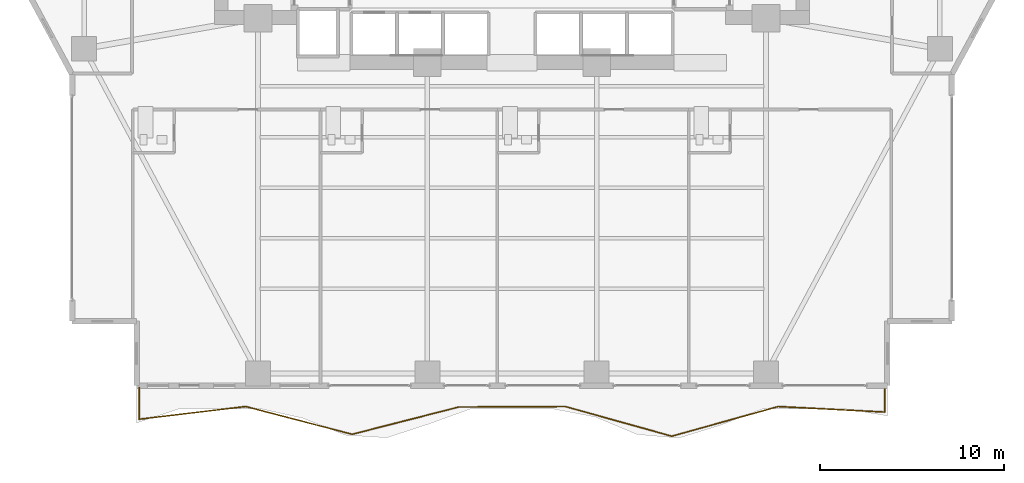
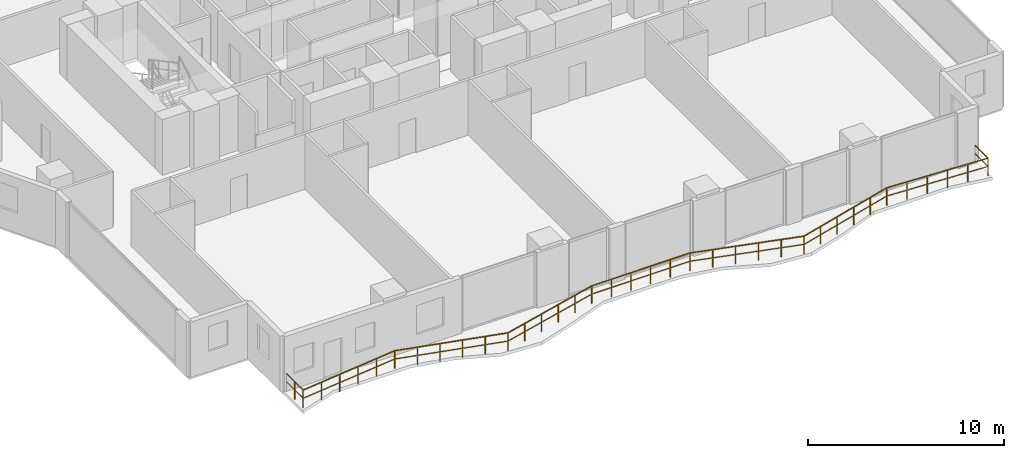
# One storey, part 25 of 28: 1 railing.
"""IFC4 building model written with IfcOpenShell, lengths in metres."""

from ifc_helpers import new_model, si_unit, direction, frame, origin, origin_2d, place, context, subcontext, project, spatial, rectangle, extrude, material, type_object, element, save


model = new_model("IFC4")

# Units and contexts
model_context = context("Model", 3, precision=1e-05, world=origin(), true_north=direction((0.0, 1.0)))
body_context = subcontext(model_context, "Body", "Model", "MODEL_VIEW")
ifc_project = project(units=[si_unit("LENGTHUNIT", "METRE"), si_unit("AREAUNIT", "SQUARE_METRE"), si_unit("VOLUMEUNIT", "CUBIC_METRE"), si_unit("PLANEANGLEUNIT", "RADIAN"), si_unit("MASSUNIT", "GRAM", prefix="KILO")], contexts=[model_context])

# Site, building, storey
site_placement = place(None, origin())
site = spatial("IfcSite", under=ifc_project, at=site_placement, CompositionType="ELEMENT")
building_placement = place(site_placement, origin())
building = spatial("IfcBuilding", under=site, at=building_placement, Name="Zuhayl Quay Hotel", CompositionType="ELEMENT")
storey_placement = place(building_placement, frame((0.0, 0.0, 143.10009765625)))
storey = spatial("IfcBuildingStorey", under=building, at=storey_placement, Name="L36", CompositionType="ELEMENT", Elevation=143.10009765625)

# Railing
ifc_material = material(Name="Anodised Aluminium and Laminated Glass", Category="aluminium")
railing_type = type_object("IfcRailingType", Name="RL_EXT_BAL_1100", PredefinedType="BALUSTRADE", material=ifc_material)
railing_placement = place(storey_placement, frame((-20.260009765625, -15.52001953125, 0.0)))
element("IfcRailing", 1, at=railing_placement, inside=storey, type_object=railing_type, Name="L36 Balcony and Terrace Guard GR_L36_BAL_S", PredefinedType="BALUSTRADE", context=body_context, shape_type="SweptSolid", body=[
    extrude(rectangle(XDim=0.048095703125, YDim=0.048095703125, at=origin_2d()), frame((0.0, 0.0, 1.09619140625), z_axis=(0.0, -1.0, 0.0), x_axis=(1.0, 0.0, 0.0)), (0.0, 0.0, 1.0), 1.71044921875),
    extrude(rectangle(XDim=0.0361328125, YDim=0.0361328125, at=origin_2d()), frame((0.0, 0.0, 0.58251953125), z_axis=(0.0, -1.0, 0.0), x_axis=(1.0, 0.0, 0.0)), (0.0, 0.0, 1.0), 1.71044921875),
    extrude(rectangle(XDim=0.048095703125, YDim=0.048095703125, at=origin_2d()), frame((0.0, -1.71044921875, 1.09619140625), z_axis=(0.99296179669, 0.118435089036, 0.0), x_axis=(-0.118435089036, 0.99296179669, 0.0)), (0.0, 0.0, 1.0), 5.82958984375),
    extrude(rectangle(XDim=0.0361328125, YDim=0.0361328125, at=origin_2d()), frame((0.0, -1.71044921875, 0.58251953125), z_axis=(0.99296179669, 0.118435089036, 0.0), x_axis=(-0.118435089036, 0.99296179669, 0.0)), (0.0, 0.0, 1.0), 5.82958984375),
    extrude(rectangle(XDim=0.048095703125, YDim=0.048095703125, at=origin_2d()), frame((5.78857421875, -1.02001953125, 1.09619140625), z_axis=(0.967679221393, -0.252184306579, 0.0), x_axis=(0.252184306579, 0.967679221393, 0.0)), (0.0, 0.0, 1.0), 5.98193359375),
    extrude(rectangle(XDim=0.0361328125, YDim=0.0361328125, at=origin_2d()), frame((5.78857421875, -1.02001953125, 0.58251953125), z_axis=(0.967679221393, -0.252184306579, 0.0), x_axis=(0.252184306579, 0.967679221393, 0.0)), (0.0, 0.0, 1.0), 5.98193359375),
    extrude(rectangle(XDim=0.048095703125, YDim=0.048095703125, at=origin_2d()), frame((11.5771484375, -2.528564453125, 1.09619140625), z_axis=(0.968815936275, 0.247781519931, 0.0), x_axis=(-0.247781519931, 0.968815936275, 0.0)), (0.0, 0.0, 1.0), 5.974853515625),
    extrude(rectangle(XDim=0.0361328125, YDim=0.0361328125, at=origin_2d()), frame((11.5771484375, -2.528564453125, 0.58251953125), z_axis=(0.968815936275, 0.247781519931, 0.0), x_axis=(-0.247781519931, 0.968815936275, 0.0)), (0.0, 0.0, 1.0), 5.974853515625),
    extrude(rectangle(XDim=0.048095703125, YDim=0.048095703125, at=origin_2d()), frame((17.36572265625, -1.048095703125, 1.09619140625), z_axis=(0.999988237628, 0.004850217095, 0.0), x_axis=(-0.004850217095, 0.999988237628, 0.0)), (0.0, 0.0, 1.0), 5.78857421875),
    extrude(rectangle(XDim=0.0361328125, YDim=0.0361328125, at=origin_2d()), frame((17.36572265625, -1.048095703125, 0.58251953125), z_axis=(0.999988237628, 0.004850217095, 0.0), x_axis=(-0.004850217095, 0.999988237628, 0.0)), (0.0, 0.0, 1.0), 5.78857421875),
    extrude(rectangle(XDim=0.048095703125, YDim=0.048095703125, at=origin_2d()), frame((23.154296875, -1.02001953125, 1.09619140625), z_axis=(0.963330241212, -0.2683185539, 0.0), x_axis=(0.2683185539, 0.963330241212, 0.0)), (0.0, 0.0, 1.0), 6.009033203125),
    extrude(rectangle(XDim=0.0361328125, YDim=0.0361328125, at=origin_2d()), frame((23.154296875, -1.02001953125, 0.58251953125), z_axis=(0.963330241212, -0.2683185539, 0.0), x_axis=(0.2683185539, 0.963330241212, 0.0)), (0.0, 0.0, 1.0), 6.009033203125),
    extrude(rectangle(XDim=0.048095703125, YDim=0.048095703125, at=origin_2d()), frame((28.94287109375, -2.63232421875, 1.09619140625), z_axis=(0.963330241212, 0.2683185539, 0.0), x_axis=(-0.2683185539, 0.963330241212, 0.0)), (0.0, 0.0, 1.0), 6.009033203125),
    extrude(rectangle(XDim=0.0361328125, YDim=0.0361328125, at=origin_2d()), frame((28.94287109375, -2.63232421875, 0.58251953125), z_axis=(0.963330241212, 0.2683185539, 0.0), x_axis=(-0.2683185539, 0.963330241212, 0.0)), (0.0, 0.0, 1.0), 6.009033203125),
    extrude(rectangle(XDim=0.048095703125, YDim=0.048095703125, at=origin_2d()), frame((34.7314453125, -1.02001953125, 1.09619140625), z_axis=(0.998648375621, -0.051975204366, 0.0), x_axis=(0.051975204366, 0.998648375621, 0.0)), (0.0, 0.0, 1.0), 5.79638671875),
    extrude(rectangle(XDim=0.0361328125, YDim=0.0361328125, at=origin_2d()), frame((34.7314453125, -1.02001953125, 0.58251953125), z_axis=(0.998648375621, -0.051975204366, 0.0), x_axis=(0.051975204366, 0.998648375621, 0.0)), (0.0, 0.0, 1.0), 5.79638671875),
    extrude(rectangle(XDim=0.048095703125, YDim=0.048095703125, at=origin_2d()), frame((40.52001953125, -1.3212890625, 1.09619140625), z_axis=(0.0, 1.0, 0.0), x_axis=(-1.0, 0.0, 0.0)), (0.0, 0.0, 1.0), 1.3212890625),
    extrude(rectangle(XDim=0.0361328125, YDim=0.0361328125, at=origin_2d()), frame((40.52001953125, -1.3212890625, 0.58251953125), z_axis=(0.0, 1.0, 0.0), x_axis=(-1.0, 0.0, 0.0)), (0.0, 0.0, 1.0), 1.3212890625),
    extrude(rectangle(XDim=0.0419921875, YDim=0.0419921875, at=origin_2d()), origin(), (0.0, 0.0, 1.0), 1.072021484375),
    extrude(rectangle(XDim=0.0419921875, YDim=0.0419921875, at=origin_2d()), frame((0.0, -0.855224609375, 0.0)), (0.0, 0.0, 1.0), 1.072021484375),
    extrude(rectangle(XDim=0.0419921875, YDim=0.0419921875, at=origin_2d()), frame((0.0, -1.71044921875, 0.0)), (0.0, 0.0, 1.0), 1.072021484375),
    extrude(rectangle(XDim=0.0419921875, YDim=0.0419921875, at=origin_2d()), frame((1.15771484375, -1.572265625, 0.0)), (0.0, 0.0, 1.0), 1.072021484375),
    extrude(rectangle(XDim=0.0419921875, YDim=0.0419921875, at=origin_2d()), frame((2.3154296875, -1.434326171875, 0.0)), (0.0, 0.0, 1.0), 1.072021484375),
    extrude(rectangle(XDim=0.0419921875, YDim=0.0419921875, at=origin_2d()), frame((3.47314453125, -1.296142578125, 0.0)), (0.0, 0.0, 1.0), 1.072021484375),
    extrude(rectangle(XDim=0.0419921875, YDim=0.0419921875, at=origin_2d()), frame((4.630859375, -1.158203125, 0.0)), (0.0, 0.0, 1.0), 1.072021484375),
    extrude(rectangle(XDim=0.0419921875, YDim=0.0419921875, at=origin_2d()), frame((5.78857421875, -1.02001953125, 0.0)), (0.0, 0.0, 1.0), 1.072021484375),
    extrude(rectangle(XDim=0.0419921875, YDim=0.0419921875, at=origin_2d()), frame((6.9462890625, -1.32177734375, 0.0)), (0.0, 0.0, 1.0), 1.072021484375),
    extrude(rectangle(XDim=0.0419921875, YDim=0.0419921875, at=origin_2d()), frame((8.10400390625, -1.62353515625, 0.0)), (0.0, 0.0, 1.0), 1.072021484375),
    extrude(rectangle(XDim=0.0419921875, YDim=0.0419921875, at=origin_2d()), frame((9.26171875, -1.925048828125, 0.0)), (0.0, 0.0, 1.0), 1.072021484375),
    extrude(rectangle(XDim=0.0419921875, YDim=0.0419921875, at=origin_2d()), frame((10.41943359375, -2.226806640625, 0.0)), (0.0, 0.0, 1.0), 1.072021484375),
    extrude(rectangle(XDim=0.0419921875, YDim=0.0419921875, at=origin_2d()), frame((11.5771484375, -2.528564453125, 0.0)), (0.0, 0.0, 1.0), 1.072021484375),
    extrude(rectangle(XDim=0.0419921875, YDim=0.0419921875, at=origin_2d()), frame((12.73486328125, -2.232421875, 0.0)), (0.0, 0.0, 1.0), 1.072021484375),
    extrude(rectangle(XDim=0.0419921875, YDim=0.0419921875, at=origin_2d()), frame((13.892578125, -1.936279296875, 0.0)), (0.0, 0.0, 1.0), 1.072021484375),
    extrude(rectangle(XDim=0.0419921875, YDim=0.0419921875, at=origin_2d()), frame((15.05029296875, -1.640380859375, 0.0)), (0.0, 0.0, 1.0), 1.072021484375),
    extrude(rectangle(XDim=0.0419921875, YDim=0.0419921875, at=origin_2d()), frame((16.2080078125, -1.34423828125, 0.0)), (0.0, 0.0, 1.0), 1.072021484375),
    extrude(rectangle(XDim=0.0419921875, YDim=0.0419921875, at=origin_2d()), frame((17.36572265625, -1.048095703125, 0.0)), (0.0, 0.0, 1.0), 1.072021484375),
    extrude(rectangle(XDim=0.0419921875, YDim=0.0419921875, at=origin_2d()), frame((18.5234375, -1.04248046875, 0.0)), (0.0, 0.0, 1.0), 1.072021484375),
    extrude(rectangle(XDim=0.0419921875, YDim=0.0419921875, at=origin_2d()), frame((19.68115234375, -1.036865234375, 0.0)), (0.0, 0.0, 1.0), 1.072021484375),
    extrude(rectangle(XDim=0.0419921875, YDim=0.0419921875, at=origin_2d()), frame((20.8388671875, -1.03125, 0.0)), (0.0, 0.0, 1.0), 1.072021484375),
    extrude(rectangle(XDim=0.0419921875, YDim=0.0419921875, at=origin_2d()), frame((21.99658203125, -1.025634765625, 0.0)), (0.0, 0.0, 1.0), 1.072021484375),
    extrude(rectangle(XDim=0.0419921875, YDim=0.0419921875, at=origin_2d()), frame((23.154296875, -1.02001953125, 0.0)), (0.0, 0.0, 1.0), 1.072021484375),
    extrude(rectangle(XDim=0.0419921875, YDim=0.0419921875, at=origin_2d()), frame((24.31201171875, -1.342529296875, 0.0)), (0.0, 0.0, 1.0), 1.072021484375),
    extrude(rectangle(XDim=0.0419921875, YDim=0.0419921875, at=origin_2d()), frame((25.4697265625, -1.6650390625, 0.0)), (0.0, 0.0, 1.0), 1.072021484375),
    extrude(rectangle(XDim=0.0419921875, YDim=0.0419921875, at=origin_2d()), frame((26.62744140625, -1.9873046875, 0.0)), (0.0, 0.0, 1.0), 1.072021484375),
    extrude(rectangle(XDim=0.0419921875, YDim=0.0419921875, at=origin_2d()), frame((27.78515625, -2.309814453125, 0.0)), (0.0, 0.0, 1.0), 1.072021484375),
    extrude(rectangle(XDim=0.0419921875, YDim=0.0419921875, at=origin_2d()), frame((28.94287109375, -2.63232421875, 0.0)), (0.0, 0.0, 1.0), 1.072021484375),
    extrude(rectangle(XDim=0.0419921875, YDim=0.0419921875, at=origin_2d()), frame((30.1005859375, -2.309814453125, 0.0)), (0.0, 0.0, 1.0), 1.072021484375),
    extrude(rectangle(XDim=0.0419921875, YDim=0.0419921875, at=origin_2d()), frame((31.25830078125, -1.9873046875, 0.0)), (0.0, 0.0, 1.0), 1.072021484375),
    extrude(rectangle(XDim=0.0419921875, YDim=0.0419921875, at=origin_2d()), frame((32.416015625, -1.6650390625, 0.0)), (0.0, 0.0, 1.0), 1.072021484375),
    extrude(rectangle(XDim=0.0419921875, YDim=0.0419921875, at=origin_2d()), frame((33.57373046875, -1.342529296875, 0.0)), (0.0, 0.0, 1.0), 1.072021484375),
    extrude(rectangle(XDim=0.0419921875, YDim=0.0419921875, at=origin_2d()), frame((34.7314453125, -1.02001953125, 0.0)), (0.0, 0.0, 1.0), 1.072021484375),
    extrude(rectangle(XDim=0.0419921875, YDim=0.0419921875, at=origin_2d()), frame((35.88916015625, -1.080322265625, 0.0)), (0.0, 0.0, 1.0), 1.072021484375),
    extrude(rectangle(XDim=0.0419921875, YDim=0.0419921875, at=origin_2d()), frame((37.046875, -1.140625, 0.0)), (0.0, 0.0, 1.0), 1.072021484375),
    extrude(rectangle(XDim=0.0419921875, YDim=0.0419921875, at=origin_2d()), frame((38.20458984375, -1.20068359375, 0.0)), (0.0, 0.0, 1.0), 1.072021484375),
    extrude(rectangle(XDim=0.0419921875, YDim=0.0419921875, at=origin_2d()), frame((39.3623046875, -1.260986328125, 0.0)), (0.0, 0.0, 1.0), 1.072021484375),
    extrude(rectangle(XDim=0.0419921875, YDim=0.0419921875, at=origin_2d()), frame((40.52001953125, -1.3212890625, 0.0)), (0.0, 0.0, 1.0), 1.072021484375),
    extrude(rectangle(XDim=0.0419921875, YDim=0.0419921875, at=origin_2d()), frame((40.52001953125, 0.0, 0.0)), (0.0, 0.0, 1.0), 1.072021484375),
])

save(model, "model.ifc")
